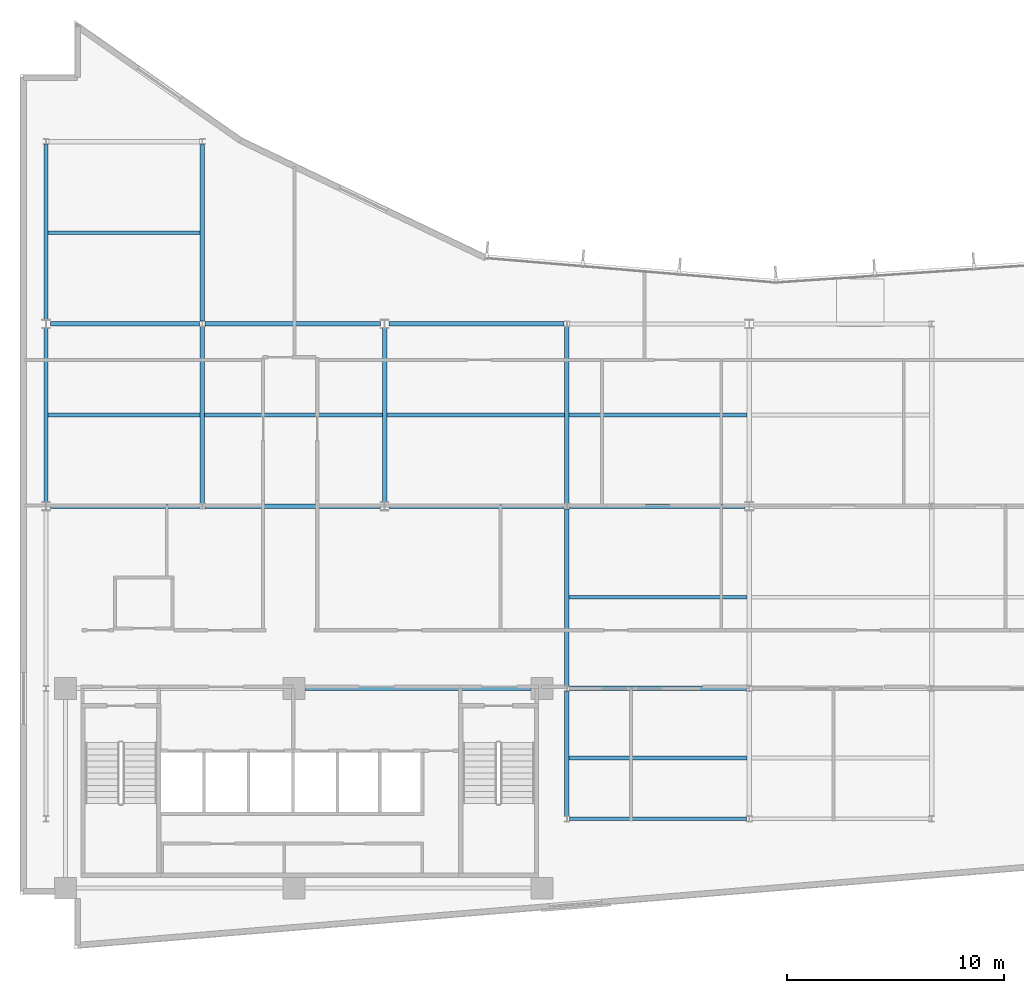
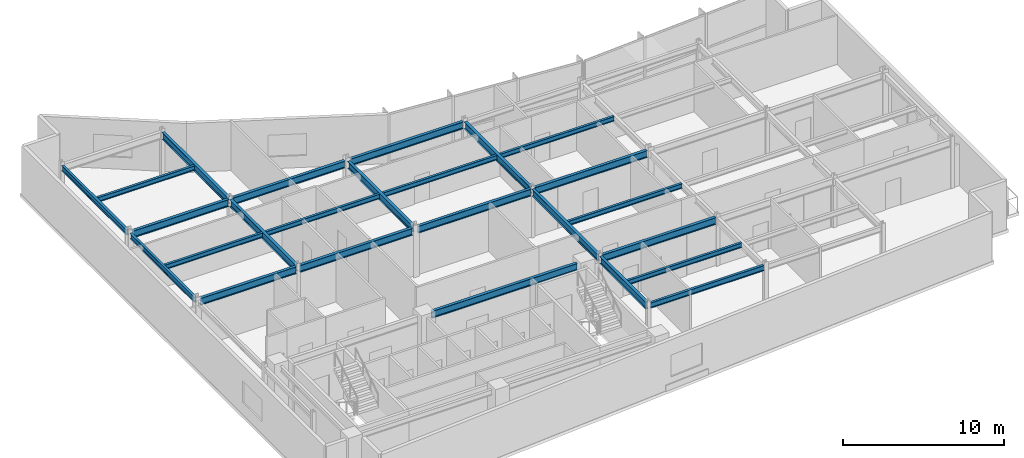
# One storey, part 4 of 14: 25 beams.
"""IFC4 building model written with IfcOpenShell, lengths in metres."""

from ifc_helpers import new_model, si_unit, direction, frame, origin, origin_2d, place, context, subcontext, project, spatial, i_section, extrude, material, material_profile, profile_set, type_object, element, save


model = new_model("IFC4")

# Units and contexts
model_context = context("Model", 3, precision=1e-05, world=origin(), true_north=direction((0.0, 1.0)))
body_context = subcontext(model_context, "Body", "Model", "MODEL_VIEW")
ifc_project = project(units=[si_unit("LENGTHUNIT", "METRE"), si_unit("AREAUNIT", "SQUARE_METRE"), si_unit("VOLUMEUNIT", "CUBIC_METRE"), si_unit("PLANEANGLEUNIT", "RADIAN"), si_unit("MASSUNIT", "GRAM", prefix="KILO")], contexts=[model_context])

# Site, building, storey
site_placement = place(None, origin())
site = spatial("IfcSite", under=ifc_project, at=site_placement, CompositionType="ELEMENT")
building_placement = place(site_placement, origin())
building = spatial("IfcBuilding", under=site, at=building_placement, Name="Varnakote Quay Hospital", CompositionType="ELEMENT")
storey_placement = place(building_placement, frame((0.0, 0.0, 211.85009765625)))
storey = spatial("IfcBuildingStorey", under=building, at=storey_placement, Name="L52", CompositionType="ELEMENT", Elevation=211.85009765625)

# Beams
ifc_material_1 = material(Name="Structural steel AS/NZS 3679.1 Grade 350 L0 (fy 340 MPa)", Category="steel")
ifc_material_profile_1 = material_profile(ifc_material_1, i_section(OverallWidth=0.208984375, OverallDepth=0.528076171875, WebThickness=0.009521484375, FlangeThickness=0.01318359375, FilletRadius=0.013916015625, at=origin_2d()), Name="530UB82.0")
ifc_profile_set_1 = profile_set([ifc_material_profile_1], Name="Structural steel AS/NZS 3679.1 Grade 350 L0 (fy 340 MPa)")
beam_type_1 = type_object("IfcBeamType", Name="BM-STL-530UB82-0", PredefinedType="BEAM", material=ifc_profile_set_1)
beam_1_placement = place(storey_placement, frame((8.39990234375, 20.530029296875, 3.44580078125), z_axis=(0.0, 1.0, 0.0), x_axis=(-1.0, 0.0, 0.0)))
element("IfcBeam", 1, at=beam_1_placement, inside=storey, type_object=beam_type_1, Name="L52 Primary Tie Beam", PredefinedType="BEAM", context=body_context, shape_type="SweptSolid", body=[
    extrude(i_section(OverallWidth=0.208984375, OverallDepth=0.528076171875, WebThickness=0.009521484375, FlangeThickness=0.01318359375, FilletRadius=0.013916015625, at=origin_2d()), origin(), (0.0, 0.0, 1.0), 8.139892578125),
])
beam_2_placement = place(storey_placement, frame((8.39990234375, 28.929931640625, 3.44580078125), z_axis=(0.0, 1.0, 0.0), x_axis=(-1.0, 0.0, 0.0)))
element("IfcBeam", 2, at=beam_2_placement, inside=storey, type_object=beam_type_1, Name="L52 Primary Tie Beam", PredefinedType="BEAM", context=body_context, shape_type="SweptSolid", body=[
    extrude(i_section(OverallWidth=0.208984375, OverallDepth=0.528076171875, WebThickness=0.009521484375, FlangeThickness=0.01318359375, FilletRadius=0.013916015625, at=origin_2d()), origin(), (0.0, 0.0, 1.0), 8.14013671875),
])
beam_3_placement = place(storey_placement, frame((16.800048828125, 20.60205078125, 3.44580078125), z_axis=(0.0, 1.0, 0.0), x_axis=(-1.0, 0.0, 0.0)))
element("IfcBeam", 3, at=beam_3_placement, inside=storey, type_object=beam_type_1, Name="L52 Primary Tie Beam", PredefinedType="BEAM", context=body_context, shape_type="SweptSolid", body=[
    extrude(i_section(OverallWidth=0.208984375, OverallDepth=0.528076171875, WebThickness=0.009521484375, FlangeThickness=0.01318359375, FilletRadius=0.013916015625, at=origin_2d()), origin(), (0.0, 0.0, 1.0), 7.995849609375),
])
beam_4_placement = place(storey_placement, frame((25.199951171875, 6.1298828125, 3.44580078125), z_axis=(0.0, 1.0, 0.0), x_axis=(-1.0, 0.0, 0.0)))
element("IfcBeam", 4, at=beam_4_placement, inside=storey, type_object=beam_type_1, Name="L52 Primary Tie Beam", PredefinedType="BEAM", context=body_context, shape_type="SweptSolid", body=[
    extrude(i_section(OverallWidth=0.208984375, OverallDepth=0.528076171875, WebThickness=0.009521484375, FlangeThickness=0.01318359375, FilletRadius=0.013916015625, at=origin_2d()), origin(), (0.0, 0.0, 1.0), 5.740234375),
])
beam_5_placement = place(storey_placement, frame((25.199951171875, 12.1298828125, 3.44580078125), z_axis=(0.0, 1.0, 0.0), x_axis=(-1.0, 0.0, 0.0)))
element("IfcBeam", 5, at=beam_5_placement, inside=storey, type_object=beam_type_1, Name="L52 Primary Tie Beam", PredefinedType="BEAM", context=body_context, shape_type="SweptSolid", body=[
    extrude(i_section(OverallWidth=0.208984375, OverallDepth=0.528076171875, WebThickness=0.009521484375, FlangeThickness=0.01318359375, FilletRadius=0.013916015625, at=origin_2d()), origin(), (0.0, 0.0, 1.0), 8.14013671875),
])
beam_6_placement = place(storey_placement, frame((25.199951171875, 20.530029296875, 3.44580078125), z_axis=(0.0, 1.0, 0.0), x_axis=(-1.0, 0.0, 0.0)))
element("IfcBeam", 6, at=beam_6_placement, inside=storey, type_object=beam_type_1, Name="L52 Primary Tie Beam", PredefinedType="BEAM", context=body_context, shape_type="SweptSolid", body=[
    extrude(i_section(OverallWidth=0.208984375, OverallDepth=0.528076171875, WebThickness=0.009521484375, FlangeThickness=0.01318359375, FilletRadius=0.013916015625, at=origin_2d()), origin(), (0.0, 0.0, 1.0), 8.139892578125),
])
ifc_material_2 = material(Name="Structural steel AS/NZS 3679.1 Grade 350 L0 (fy 340 MPa)", Category="steel")
ifc_material_profile_2 = material_profile(ifc_material_2, i_section(OverallWidth=0.208984375, OverallDepth=0.532958984375, WebThickness=0.01025390625, FlangeThickness=0.015625, FilletRadius=0.013916015625, at=origin_2d()), Name="530UB92.4")
ifc_profile_set_2 = profile_set([ifc_material_profile_2], Name="Structural steel AS/NZS 3679.1 Grade 350 L0 (fy 340 MPa)")
beam_type_2 = type_object("IfcBeamType", Name="BM-STL-530UB92-4", PredefinedType="BEAM", material=ifc_profile_set_2)
beam_7_placement = place(storey_placement, frame((13.1201171875, 12.0, 3.443359375), z_axis=(1.0, 0.0, 0.0), x_axis=(0.0, 1.0, 0.0)))
element("IfcBeam", 7, at=beam_7_placement, inside=storey, type_object=beam_type_2, Name="L52 Primary Floor Beam", PredefinedType="BEAM", context=body_context, shape_type="SweptSolid", body=[
    extrude(i_section(OverallWidth=0.208984375, OverallDepth=0.532958984375, WebThickness=0.01025390625, FlangeThickness=0.015625, FilletRadius=0.013916015625, at=origin_2d()), origin(), (0.0, 0.0, 1.0), 10.429931640625),
])
beam_8_placement = place(storey_placement, frame((25.327880859375, 12.0, 3.443359375), z_axis=(1.0, 0.0, 0.0), x_axis=(0.0, 1.0, 0.0)))
element("IfcBeam", 8, at=beam_8_placement, inside=storey, type_object=beam_type_2, Name="L52 Primary Floor Beam", PredefinedType="BEAM", context=body_context, shape_type="SweptSolid", body=[
    extrude(i_section(OverallWidth=0.208984375, OverallDepth=0.532958984375, WebThickness=0.01025390625, FlangeThickness=0.015625, FilletRadius=0.013916015625, at=origin_2d()), origin(), (0.0, 0.0, 1.0), 8.14404296875),
])
beam_9_placement = place(storey_placement, frame((1.39990234375, 20.39990234375, 3.443359375), z_axis=(1.0, 0.0, 0.0), x_axis=(0.0, 1.0, 0.0)))
element("IfcBeam", 9, at=beam_9_placement, inside=storey, type_object=beam_type_2, Name="L52 Primary Floor Beam", PredefinedType="BEAM", context=body_context, shape_type="SweptSolid", body=[
    extrude(i_section(OverallWidth=0.208984375, OverallDepth=0.532958984375, WebThickness=0.01025390625, FlangeThickness=0.015625, FilletRadius=0.013916015625, at=origin_2d()), origin(), (0.0, 0.0, 1.0), 6.8720703125),
])
for number, where, z_axis, x_axis, name in (
    (10, (8.528076171875, 20.39990234375, 3.443359375), (1.0, 0.0, 0.0), (0.0, 1.0, 0.0), "L52 Primary Floor Beam"),
    (11, (17.0, 20.39990234375, 3.443359375), (1.0, 0.0, 0.0), (0.0, 1.0, 0.0), "L52 Primary Floor Beam"),
    (12, (25.327880859375, 20.39990234375, 3.443359375), (1.0, 0.0, 0.0), (0.0, 1.0, 0.0), "L52 Primary Floor Beam"),
):
    element("IfcBeam", number, at=place(storey_placement, frame(where, z_axis=z_axis, x_axis=x_axis)), inside=storey, type_object=beam_type_2, Name=name, PredefinedType="BEAM", context=body_context, shape_type="SweptSolid", body=[
        extrude(i_section(OverallWidth=0.208984375, OverallDepth=0.532958984375, WebThickness=0.01025390625, FlangeThickness=0.015625, FilletRadius=0.013916015625, at=origin_2d()), origin(), (0.0, 0.0, 1.0), 8.072021484375),
    ])
beam_10_placement = place(storey_placement, frame((1.39990234375, 28.800048828125, 3.443359375), z_axis=(1.0, 0.0, 0.0), x_axis=(0.0, 1.0, 0.0)))
element("IfcBeam", 13, at=beam_10_placement, inside=storey, type_object=beam_type_2, Name="L52 Primary Floor Beam", PredefinedType="BEAM", context=body_context, shape_type="SweptSolid", body=[
    extrude(i_section(OverallWidth=0.208984375, OverallDepth=0.532958984375, WebThickness=0.01025390625, FlangeThickness=0.015625, FilletRadius=0.013916015625, at=origin_2d()), origin(), (0.0, 0.0, 1.0), 6.8720703125),
])
for number, where, z_axis, x_axis, name in (
    (14, (8.528076171875, 28.800048828125, 3.443359375), (1.0, 0.0, 0.0), (0.0, 1.0, 0.0), "L52 Primary Floor Beam"),
    (15, (17.0, 28.800048828125, 3.443359375), (1.0, 0.0, 0.0), (0.0, 1.0, 0.0), "L52 Primary Floor Beam"),
):
    element("IfcBeam", number, at=place(storey_placement, frame(where, z_axis=z_axis, x_axis=x_axis)), inside=storey, type_object=beam_type_2, Name=name, PredefinedType="BEAM", context=body_context, shape_type="SweptSolid", body=[
        extrude(i_section(OverallWidth=0.208984375, OverallDepth=0.532958984375, WebThickness=0.01025390625, FlangeThickness=0.015625, FilletRadius=0.013916015625, at=origin_2d()), origin(), (0.0, 0.0, 1.0), 8.072021484375),
    ])
ifc_material_3 = material(Name="Structural steel AS/NZS 3679.1 Grade 350 L0 (fy 340 MPa)", Category="steel")
ifc_material_profile_3 = material_profile(ifc_material_3, i_section(OverallWidth=0.1708984375, OverallDepth=0.35595703125, WebThickness=0.00732421875, FlangeThickness=0.011474609375, FilletRadius=0.011474609375, at=origin_2d()), Name="360UB50.7")
ifc_profile_set_3 = profile_set([ifc_material_profile_3], Name="Structural steel AS/NZS 3679.1 Grade 350 L0 (fy 340 MPa)")
beam_type_3 = type_object("IfcBeamType", Name="JST-STL-360UB50-7", PredefinedType="JOIST", material=ifc_profile_set_3)
for number, where, z_axis, x_axis, name in (
    (16, (25.304443359375, 8.800048828125, 3.531982421875), (1.0, 0.0, 0.0), (0.0, 1.0, 0.0), "L52 Composite Floor Joist"),
    (17, (25.304443359375, 16.199951171875, 3.531982421875), (1.0, 0.0, 0.0), (0.0, 1.0, 0.0), "L52 Composite Floor Joist"),
):
    element("IfcBeam", number, at=place(storey_placement, frame(where, z_axis=z_axis, x_axis=x_axis)), inside=storey, type_object=beam_type_3, Name=name, PredefinedType="JOIST", context=body_context, shape_type="SweptSolid", body=[
        extrude(i_section(OverallWidth=0.1708984375, OverallDepth=0.35595703125, WebThickness=0.00732421875, FlangeThickness=0.011474609375, FilletRadius=0.011474609375, at=origin_2d()), origin(), (0.0, 0.0, 1.0), 8.191162109375),
    ])
beam_11_placement = place(storey_placement, frame((1.2890625, 24.60009765625, 3.531982421875), z_axis=(1.0, 0.0, 0.0), x_axis=(0.0, 1.0, 0.0)))
element("IfcBeam", 18, at=beam_11_placement, inside=storey, type_object=beam_type_3, Name="L52 Composite Floor Joist", PredefinedType="JOIST", context=body_context, shape_type="SweptSolid", body=[
    extrude(i_section(OverallWidth=0.1708984375, OverallDepth=0.35595703125, WebThickness=0.00732421875, FlangeThickness=0.011474609375, FilletRadius=0.011474609375, at=origin_2d()), origin(), (0.0, 0.0, 1.0), 7.00634765625),
])
beam_12_placement = place(storey_placement, frame((8.50439453125, 24.60009765625, 3.531982421875), z_axis=(1.0, 0.0, 0.0), x_axis=(0.0, 1.0, 0.0)))
element("IfcBeam", 19, at=beam_12_placement, inside=storey, type_object=beam_type_3, Name="L52 Composite Floor Joist", PredefinedType="JOIST", context=body_context, shape_type="SweptSolid", body=[
    extrude(i_section(OverallWidth=0.1708984375, OverallDepth=0.35595703125, WebThickness=0.00732421875, FlangeThickness=0.011474609375, FilletRadius=0.011474609375, at=origin_2d()), origin(), (0.0, 0.0, 1.0), 8.191162109375),
])
beam_13_placement = place(storey_placement, frame((16.904541015625, 24.60009765625, 3.531982421875), z_axis=(1.0, 0.0, 0.0), x_axis=(0.0, 1.0, 0.0)))
element("IfcBeam", 20, at=beam_13_placement, inside=storey, type_object=beam_type_3, Name="L52 Composite Floor Joist", PredefinedType="JOIST", context=body_context, shape_type="SweptSolid", body=[
    extrude(i_section(OverallWidth=0.1708984375, OverallDepth=0.35595703125, WebThickness=0.00732421875, FlangeThickness=0.011474609375, FilletRadius=0.011474609375, at=origin_2d()), origin(), (0.0, 0.0, 1.0), 8.19091796875),
])
beam_14_placement = place(storey_placement, frame((25.304443359375, 24.60009765625, 3.531982421875), z_axis=(1.0, 0.0, 0.0), x_axis=(0.0, 1.0, 0.0)))
element("IfcBeam", 21, at=beam_14_placement, inside=storey, type_object=beam_type_3, Name="L52 Composite Floor Joist", PredefinedType="JOIST", context=body_context, shape_type="SweptSolid", body=[
    extrude(i_section(OverallWidth=0.1708984375, OverallDepth=0.35595703125, WebThickness=0.00732421875, FlangeThickness=0.011474609375, FilletRadius=0.011474609375, at=origin_2d()), origin(), (0.0, 0.0, 1.0), 8.191162109375),
])
beam_15_placement = place(storey_placement, frame((1.2890625, 33.0, 3.531982421875), z_axis=(1.0, 0.0, 0.0), x_axis=(0.0, 1.0, 0.0)))
element("IfcBeam", 22, at=beam_15_placement, inside=storey, type_object=beam_type_3, Name="L52 Composite Floor Joist", PredefinedType="JOIST", context=body_context, shape_type="SweptSolid", body=[
    extrude(i_section(OverallWidth=0.1708984375, OverallDepth=0.35595703125, WebThickness=0.00732421875, FlangeThickness=0.011474609375, FilletRadius=0.011474609375, at=origin_2d()), origin(), (0.0, 0.0, 1.0), 7.00634765625),
])
ifc_material_4 = material(Name="Structural steel AS/NZS 3679.1 Grade 350 L0 (fy 340 MPa)", Category="steel")
ifc_material_profile_4 = material_profile(ifc_material_4, i_section(OverallWidth=0.177978515625, OverallDepth=0.403076171875, WebThickness=0.007568359375, FlangeThickness=0.010986328125, FilletRadius=0.011474609375, at=origin_2d()), Name="410UB53.7")
ifc_profile_set_4 = profile_set([ifc_material_profile_4], Name="Structural steel AS/NZS 3679.1 Grade 350 L0 (fy 340 MPa)")
beam_type_4 = type_object("IfcBeamType", Name="SPN-STL-410UB53-7", PredefinedType="SPANDREL", material=ifc_profile_set_4)
beam_16_placement = place(storey_placement, frame((1.199951171875, 20.60205078125, 3.50830078125), z_axis=(0.0, 1.0, 0.0), x_axis=(-1.0, 0.0, 0.0)))
element("IfcBeam", 23, at=beam_16_placement, inside=storey, type_object=beam_type_4, Name="L52 Perimeter Spandrel Beam", PredefinedType="SPANDREL", context=body_context, shape_type="SweptSolid", body=[
    extrude(i_section(OverallWidth=0.177978515625, OverallDepth=0.403076171875, WebThickness=0.007568359375, FlangeThickness=0.010986328125, FilletRadius=0.011474609375, at=origin_2d()), origin(), (0.0, 0.0, 1.0), 7.995849609375),
])
beam_17_placement = place(storey_placement, frame((1.199951171875, 29.001953125, 3.50830078125), z_axis=(0.0, 1.0, 0.0), x_axis=(-1.0, 0.0, 0.0)))
element("IfcBeam", 24, at=beam_17_placement, inside=storey, type_object=beam_type_4, Name="L52 Perimeter Spandrel Beam", PredefinedType="SPANDREL", context=body_context, shape_type="SweptSolid", body=[
    extrude(i_section(OverallWidth=0.177978515625, OverallDepth=0.403076171875, WebThickness=0.007568359375, FlangeThickness=0.010986328125, FilletRadius=0.011474609375, at=origin_2d()), origin(), (0.0, 0.0, 1.0), 8.068115234375),
])
ifc_material_5 = material(Name="Structural steel AS/NZS 3679.1 Grade 350 L0 (fy 340 MPa)", Category="steel")
ifc_material_profile_5 = material_profile(ifc_material_5, i_section(OverallWidth=0.177978515625, OverallDepth=0.406005859375, WebThickness=0.0078125, FlangeThickness=0.0126953125, FilletRadius=0.011474609375, at=origin_2d()), Name="410UB59.7")
ifc_profile_set_5 = profile_set([ifc_material_profile_5], Name="Structural steel AS/NZS 3679.1 Grade 350 L0 (fy 340 MPa)")
beam_type_5 = type_object("IfcBeamType", Name="SPN-STL-410UB59-7", PredefinedType="SPANDREL", material=ifc_profile_set_5)
beam_18_placement = place(storey_placement, frame((25.327880859375, 6.0, 3.5068359375), z_axis=(1.0, 0.0, 0.0), x_axis=(0.0, 1.0, 0.0)))
element("IfcBeam", 25, at=beam_18_placement, inside=storey, type_object=beam_type_5, Name="L52 Perimeter Spandrel Beam", PredefinedType="SPANDREL", context=body_context, shape_type="SweptSolid", body=[
    extrude(i_section(OverallWidth=0.177978515625, OverallDepth=0.406005859375, WebThickness=0.0078125, FlangeThickness=0.0126953125, FilletRadius=0.011474609375, at=origin_2d()), origin(), (0.0, 0.0, 1.0), 8.14404296875),
])

save(model, "model.ifc")
